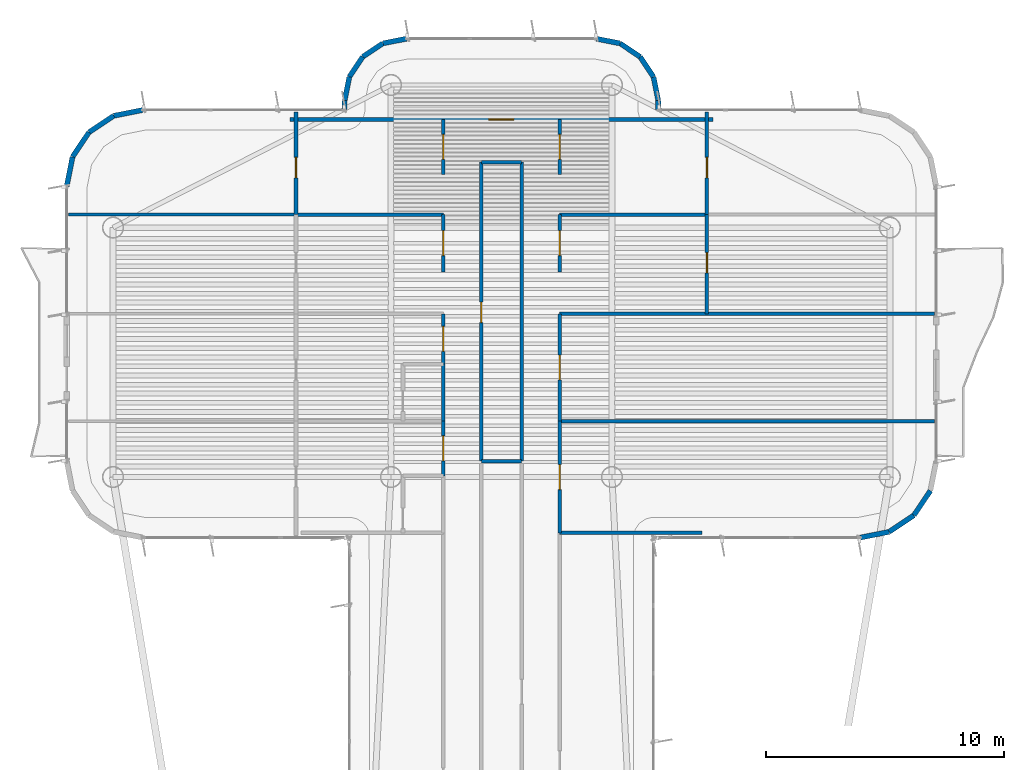
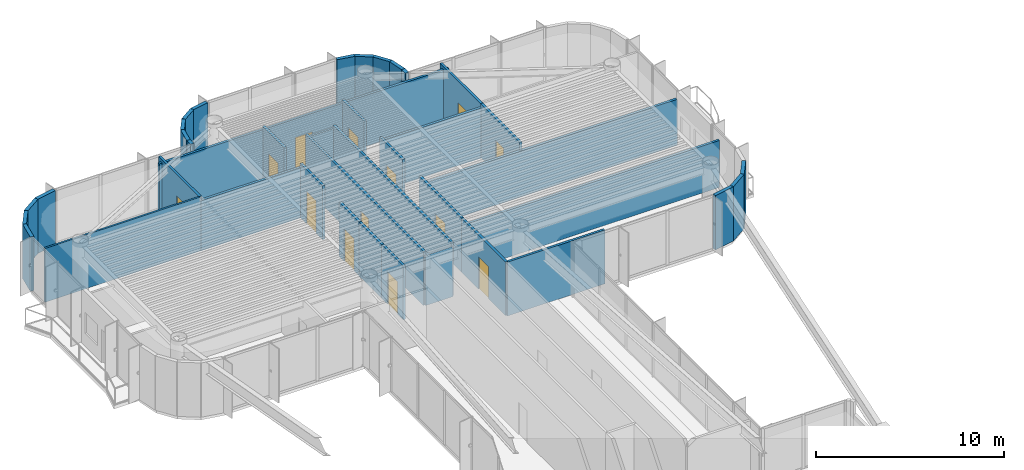
# One storey, part 12 of 15: 40 walls, 13 doors, 13 openings.
"""IFC4 building model written with IfcOpenShell, lengths in metres."""

import ifcopenshell
import ifcopenshell.guid

model = None  # the IFC model being written
_history = None  # IfcOwnerHistory: only IFC2X3 demands one
_inside = {}  # id of a spatial element -> (the spatial element, [elements in it])
_under = {}  # id of a project, library or spatial element -> (it, [spatial elements below it])
_declared = {}  # id of a project -> (the project, [libraries it declares])
_typed = {}  # id of a type object -> (the type object, [elements of that type])
_made_of = {}  # id of a material, layer set ... -> (it, [elements and type objects made of it])


def new_model(schema):
    """Start an empty IFC model of exactly this schema.

    Asked for "IFC4X3", IfcOpenShell would pick the latest addendum, in which some entities
    have other attributes; the version numbers below select the first issue.
    IFC2X3 requires an IfcOwnerHistory on every rooted entity: one is made here for all.
    """
    global model, _history
    if schema == "IFC4X3":
        model = ifcopenshell.file(schema_version=(4, 3, 0, 0))
    else:
        model = ifcopenshell.file(schema=schema)
    _inside.clear()
    _under.clear()
    _declared.clear()
    _typed.clear()
    _made_of.clear()
    _history = None
    if model.schema == "IFC2X3":
        org = make("IfcOrganization", Name="unknown")
        user = make(
            "IfcPersonAndOrganization",
            ThePerson=make("IfcPerson", FamilyName="unknown"),
            TheOrganization=org,
        )
        app = make(
            "IfcApplication",
            ApplicationDeveloper=org,
            Version="unknown",
            ApplicationFullName="unknown",
            ApplicationIdentifier="unknown",
        )
        _history = make(
            "IfcOwnerHistory",
            OwningUser=user,
            OwningApplication=app,
            ChangeAction="ADDED",
            CreationDate=0,
        )
    return model


def make(cls, **values):
    """One entity of the class cls with the attributes given. An attribute that is None is left unset."""
    return model.create_entity(
        cls, **{name: value for name, value in values.items() if value is not None}
    )


def rooted(cls, **values):
    """An entity with a GlobalId (a new one), such as an element, a storey or a relation."""
    return make(cls, GlobalId=ifcopenshell.guid.new(), OwnerHistory=_history, **values)


def si_unit(unit_type, name, prefix=None):
    """IfcSIUnit, for example si_unit("LENGTHUNIT", "METRE", prefix="MILLI")."""
    return make("IfcSIUnit", UnitType=unit_type, Prefix=prefix, Name=name)


def assignment(units):
    """IfcUnitAssignment: the units of a project."""
    return None if units is None else make("IfcUnitAssignment", Units=units)


def point(xyz):
    """IfcCartesianPoint."""
    return None if xyz is None else make("IfcCartesianPoint", Coordinates=xyz)


def direction(xyz):
    """IfcDirection."""
    return None if xyz is None else make("IfcDirection", DirectionRatios=xyz)


def frame(location, z_axis=None, x_axis=None):
    """IfcAxis2Placement3D, a coordinate frame: its origin and axes. An axis left out is left unset."""
    return make(
        "IfcAxis2Placement3D",
        Location=point(location),
        Axis=direction(z_axis),
        RefDirection=direction(x_axis),
    )


def frame_2d(location, x_axis=None):
    """IfcAxis2Placement2D, a coordinate frame in the plane: its origin and x axis."""
    return make(
        "IfcAxis2Placement2D", Location=point(location), RefDirection=direction(x_axis)
    )


def origin():
    """The frame at (0, 0, 0) with its axes left unset."""
    return frame((0.0, 0.0, 0.0))


def origin_2d():
    """The frame at (0, 0) in the plane with its x axis left unset."""
    return frame_2d((0.0, 0.0))


def place(relative_to, where):
    """IfcLocalPlacement: puts the frame where relative to a parent placement (None: the world)."""
    return make(
        "IfcLocalPlacement", PlacementRelTo=relative_to, RelativePlacement=where
    )


def context(
    kind, dimensions, precision=None, world=None, true_north=None, identifier=None
):
    """IfcGeometricRepresentationContext, for example the 3D "Model" context."""
    return make(
        "IfcGeometricRepresentationContext",
        ContextIdentifier=identifier,
        ContextType=kind,
        CoordinateSpaceDimension=dimensions,
        Precision=precision,
        WorldCoordinateSystem=world,
        TrueNorth=true_north,
    )


def subcontext(parent, identifier, kind, view, scale=None):
    """IfcGeometricRepresentationSubContext, for example "Body" below "Model"."""
    return make(
        "IfcGeometricRepresentationSubContext",
        ContextIdentifier=identifier,
        ContextType=kind,
        ParentContext=parent,
        TargetScale=scale,
        TargetView=view,
    )


def project(units=None, contexts=None):
    """IfcProject with its units and contexts."""
    return rooted(
        "IfcProject",
        Name="project",
        RepresentationContexts=contexts,
        UnitsInContext=assignment(units),
    )


def spatial(cls, under=None, at=None, **own):
    """A site, building, storey or space (cls), placed at a placement, below another one or the project."""
    s = rooted(cls, ObjectPlacement=at, **own)
    if under is not None:
        _under.setdefault(under.id(), (under, []))[1].append(s)
    return s


def profile(cls, at=None, kind="AREA", **sizes):
    """A parametric profile (cls). Its sizes go by their IFC names, for example OverallWidth=200.0."""
    return make(cls, ProfileType=kind, Position=at, **sizes)


def rectangle(**sizes):
    """IfcRectangleProfileDef."""
    return profile("IfcRectangleProfileDef", **sizes)


def extrude(swept, where, along, depth):
    """IfcExtrudedAreaSolid: the profile swept, set in the frame where, extruded along a direction by depth."""
    return make(
        "IfcExtrudedAreaSolid",
        SweptArea=swept,
        Position=where,
        ExtrudedDirection=direction(along),
        Depth=depth,
    )


def shape(context_of_items, identifier, shape_type, items):
    """IfcShapeRepresentation: the items that make up one representation, for example the "Body"."""
    return make(
        "IfcShapeRepresentation",
        ContextOfItems=context_of_items,
        RepresentationIdentifier=identifier,
        RepresentationType=shape_type,
        Items=items,
    )


def source(mapping_origin, context_of_items, identifier, shape_type, items):
    """IfcRepresentationMap: a shape defined once, which mapped items show again and again."""
    return make(
        "IfcRepresentationMap",
        MappingOrigin=mapping_origin,
        MappedRepresentation=shape(context_of_items, identifier, shape_type, items),
    )


def transform(
    local_origin,
    x_axis=None,
    y_axis=None,
    z_axis=None,
    scale=None,
    scale2=None,
    scale3=None,
    uniform=True,
):
    """IfcCartesianTransformationOperator3D, or its non-uniform kind. x_axis, y_axis, z_axis: its Axis1, 2, 3."""
    if uniform:
        return make(
            "IfcCartesianTransformationOperator3D",
            Axis1=direction(x_axis),
            Axis2=direction(y_axis),
            LocalOrigin=point(local_origin),
            Scale=scale,
            Axis3=direction(z_axis),
        )
    return make(
        "IfcCartesianTransformationOperator3DnonUniform",
        Axis1=direction(x_axis),
        Axis2=direction(y_axis),
        LocalOrigin=point(local_origin),
        Scale=scale,
        Axis3=direction(z_axis),
        Scale2=scale2,
        Scale3=scale3,
    )


def mapped(mapping_source, mapping_target):
    """IfcMappedItem: shows the shape of a source again, moved by a transform."""
    return make(
        "IfcMappedItem", MappingSource=mapping_source, MappingTarget=mapping_target
    )


def material(Name=None, Category=None):
    """IfcMaterial."""
    return make("IfcMaterial", Name=Name, Category=Category)


def layer(
    of_material, thickness, ventilated=None, Name=None, Category=None, Priority=None
):
    """IfcMaterialLayer: one layer of a wall or slab, of a material (None: an air gap)."""
    return make(
        "IfcMaterialLayer",
        Material=of_material,
        LayerThickness=thickness,
        IsVentilated=ventilated,
        Name=Name,
        Category=Category,
        Priority=Priority,
    )


def layer_set(layers, Name=None):
    """IfcMaterialLayerSet."""
    return make("IfcMaterialLayerSet", MaterialLayers=layers, LayerSetName=Name)


def made_of(thing, what):
    """Note that an element or type object is made of a material, layer set ...; save() writes the relation."""
    if what is not None:
        _made_of.setdefault(what.id(), (what, []))[1].append(thing)
    return thing


def type_object(cls, material=None, **own):
    """A type object (cls), such as IfcWallType, which elements share."""
    return made_of(rooted(cls, **own), material)


def element(
    cls,
    number,
    at=None,
    inside=None,
    cuts=None,
    type_object=None,
    material=None,
    context=None,
    identifier="Body",
    shape_type=None,
    held_by="IfcProductDefinitionShape",
    body=None,
    shapes=None,
    **own,
):
    """One element of the class cls, such as IfcWall. Its Tag is "e" and its number.

    at: its placement. inside: the storey or other place that contains it. cuts: it is an
    opening in that element (IfcRelVoidsElement). A single representation is given by context,
    identifier, shape_type and body (its items); several are given by shapes. held_by: the class
    of the entity that holds the representations. save() writes the other relations.
    """
    e = rooted(cls, Tag="e%d" % number, ObjectPlacement=at, **own)
    if body is not None:
        shapes = [shape(context, identifier, shape_type, body)]
    if shapes is not None:
        e.Representation = make(held_by, Representations=shapes)
    if inside is not None:
        _inside.setdefault(inside.id(), (inside, []))[1].append(e)
    if cuts is not None:
        rooted(
            "IfcRelVoidsElement", RelatingBuildingElement=cuts, RelatedOpeningElement=e
        )
    if type_object is not None:
        _typed.setdefault(type_object.id(), (type_object, []))[1].append(e)
    return made_of(e, material)


def fill(opening, filler):
    """IfcRelFillsElement: the door or window that sits in an opening."""
    return rooted(
        "IfcRelFillsElement",
        RelatingOpeningElement=opening,
        RelatedBuildingElement=filler,
    )


def aggregate(whole, parts):
    """IfcRelAggregates: a whole, such as a stair, and the parts it consists of."""
    return rooted("IfcRelAggregates", RelatingObject=whole, RelatedObjects=parts)


def save(model, path):
    """Write the relations noted so far, then the file.

    IfcRelAggregates (storeys below a building ...), IfcRelContainedInSpatialStructure (elements
    in a storey), IfcRelDefinesByType, IfcRelAssociatesMaterial and IfcRelDeclares: one each for
    every whole, place, type object, material and project.
    """
    for whole, parts in _under.values():
        aggregate(whole, parts)
    for where, things in _inside.values():
        rooted(
            "IfcRelContainedInSpatialStructure",
            RelatedElements=things,
            RelatingStructure=where,
        )
    for kind, things in _typed.values():
        rooted("IfcRelDefinesByType", RelatedObjects=things, RelatingType=kind)
    for what, things in _made_of.values():
        rooted("IfcRelAssociatesMaterial", RelatedObjects=things, RelatingMaterial=what)
    for by, libraries in _declared.values():
        rooted("IfcRelDeclares", RelatingContext=by, RelatedDefinitions=libraries)
    model.write(path)


model = new_model("IFC4")

# Units and contexts
model_context = context("Model", 3, precision=1e-05, world=origin(), true_north=direction((0.0, 1.0)))
body_context = subcontext(model_context, "Body", "Model", "MODEL_VIEW")
ifc_project = project(units=[si_unit("LENGTHUNIT", "METRE"), si_unit("AREAUNIT", "SQUARE_METRE"), si_unit("VOLUMEUNIT", "CUBIC_METRE"), si_unit("PLANEANGLEUNIT", "RADIAN"), si_unit("MASSUNIT", "GRAM", prefix="KILO")], contexts=[model_context])

# Site, building, storey
site_placement = place(None, origin())
site = spatial("IfcSite", under=ifc_project, at=site_placement, CompositionType="ELEMENT")
building_placement = place(site_placement, origin())
building = spatial("IfcBuilding", under=site, at=building_placement, Name="Brelvock Crest Care Tower", CompositionType="ELEMENT")
storey_placement = place(building_placement, frame((0.0, 0.0, 260.820068359375)))
storey = spatial("IfcBuildingStorey", under=building, at=storey_placement, Name="L66", CompositionType="ELEMENT", Elevation=260.820068359375)

# Walls
ifc_material_1 = material(Name="Precast concrete N40 (40 MPa)", Category="concrete")
ifc_layer_1 = layer(ifc_material_1, 0.215087890625, Name="WL-EX2")
ifc_layer_set_1 = layer_set([ifc_layer_1], Name="Precast concrete N40 (40 MPa)")
wall_type_1 = type_object("IfcWallType", Name="WL-EX2", PredefinedType="SOLIDWALL", material=ifc_layer_set_1)
for number, where, z_axis, x_axis, name in (
    (1, (17.699951171875, 56.199951171875, 0.0), (0.0, 0.0, 1.0), (0.195138390419, 0.980775717779, 0.0), "L66 Rounded Corner Wall 18"),
    (2, (17.943603515625, 57.424560546875, 0.0), (0.0, 0.0, 1.0), (0.555557312883, 0.831478245117, 0.0), "L66 Rounded Corner Wall 19"),
    (3, (18.63720703125, 58.462646484375, 0.0), (0.0, 0.0, 1.0), (0.831387912822, 0.555692485475, 0.0), "L66 Rounded Corner Wall 20"),
    (4, (19.67529296875, 59.156494140625, 0.0), (0.0, 0.0, 1.0), (0.980813122964, 0.194950295773, 0.0), "L66 Rounded Corner Wall 21"),
):
    element("IfcWall", number, at=place(storey_placement, frame(where, z_axis=z_axis, x_axis=x_axis)), inside=storey, type_object=wall_type_1, Name=name, PredefinedType="SOLIDWALL", context=body_context, shape_type="SweptSolid", body=[
        extrude(rectangle(XDim=1.24853515625, YDim=0.215087890625, at=frame_2d((0.624267578125, 0.0))), origin(), (0.0, 0.0, 1.0), 3.530029296875),
    ])
wall_1_placement = place(storey_placement, frame((29.39990234375, 59.39990234375, 0.0), z_axis=(0.0, 0.0, 1.0), x_axis=(0.0, 1.0, 0.0)))
element("IfcWall", 5, at=wall_1_placement, inside=storey, type_object=wall_type_1, Name="L66 Rounded Corner Wall 23", PredefinedType="SOLIDWALL", context=body_context, shape_type="SweptSolid", body=[
    extrude(rectangle(XDim=0.400146484375, YDim=0.215087890625, at=frame_2d((0.2001953125, 0.0))), origin(), (0.0, 0.0, 1.0), 3.530029296875),
])
wall_2_placement = place(storey_placement, frame((29.39990234375, 59.800048828125, 0.0), z_axis=(0.0, 0.0, 1.0), x_axis=(0.195190360752, 0.980765376158, 0.0)))
element("IfcWall", 6, at=wall_2_placement, inside=storey, type_object=wall_type_1, Name="L66 Rounded Corner Wall 24", PredefinedType="SOLIDWALL", context=body_context, shape_type="SweptSolid", body=[
    extrude(rectangle(XDim=1.014404296875, YDim=0.215087890625, at=frame_2d((0.50732421875, 0.0))), origin(), (0.0, 0.0, 1.0), 3.530029296875),
])
wall_3_placement = place(storey_placement, frame((29.597900390625, 60.794921875, 0.0), z_axis=(0.0, 0.0, 1.0), x_axis=(0.555643898837, 0.831420385657, 0.0)))
element("IfcWall", 7, at=wall_3_placement, inside=storey, type_object=wall_type_1, Name="L66 Rounded Corner Wall 25", PredefinedType="SOLIDWALL", context=body_context, shape_type="SweptSolid", body=[
    extrude(rectangle(XDim=1.0146484375, YDim=0.215087890625, at=frame_2d((0.50732421875, 0.0))), origin(), (0.0, 0.0, 1.0), 3.530029296875),
])
wall_4_placement = place(storey_placement, frame((30.16162109375, 61.638427734375, 0.0), z_axis=(0.0, 0.0, 1.0), x_axis=(0.831346067305, 0.555755086685, 0.0)))
element("IfcWall", 8, at=wall_4_placement, inside=storey, type_object=wall_type_1, Name="L66 Rounded Corner Wall 26", PredefinedType="SOLIDWALL", context=body_context, shape_type="SweptSolid", body=[
    extrude(rectangle(XDim=1.014404296875, YDim=0.215087890625, at=frame_2d((0.50732421875, 0.0))), origin(), (0.0, 0.0, 1.0), 3.530029296875),
])
for number, where, z_axis, x_axis, name in (
    (9, (31.0048828125, 62.2021484375, 0.0), (0.0, 0.0, 1.0), (0.980820570666, 0.194912821943, 0.0), "L66 Rounded Corner Wall 27"),
    (10, (40.0, 62.39990234375, 0.0), (0.0, 0.0, 1.0), (0.980820570666, -0.194912821943, 0.0), "L66 Rounded Corner Wall 29"),
):
    element("IfcWall", number, at=place(storey_placement, frame(where, z_axis=z_axis, x_axis=x_axis)), inside=storey, type_object=wall_type_1, Name=name, PredefinedType="SOLIDWALL", context=body_context, shape_type="SweptSolid", body=[
        extrude(rectangle(XDim=1.0146484375, YDim=0.215087890625, at=frame_2d((0.50732421875, 0.0))), origin(), (0.0, 0.0, 1.0), 3.530029296875),
    ])
wall_5_placement = place(storey_placement, frame((40.9951171875, 62.2021484375, 0.0), z_axis=(0.0, 0.0, 1.0), x_axis=(0.831346067305, -0.555755086685, 0.0)))
element("IfcWall", 11, at=wall_5_placement, inside=storey, type_object=wall_type_1, Name="L66 Rounded Corner Wall 30", PredefinedType="SOLIDWALL", context=body_context, shape_type="SweptSolid", body=[
    extrude(rectangle(XDim=1.014404296875, YDim=0.215087890625, at=frame_2d((0.50732421875, 0.0))), origin(), (0.0, 0.0, 1.0), 3.530029296875),
])
wall_6_placement = place(storey_placement, frame((41.83837890625, 61.638427734375, 0.0), z_axis=(0.0, 0.0, 1.0), x_axis=(0.555643898837, -0.831420385657, 0.0)))
element("IfcWall", 12, at=wall_6_placement, inside=storey, type_object=wall_type_1, Name="L66 Rounded Corner Wall 31", PredefinedType="SOLIDWALL", context=body_context, shape_type="SweptSolid", body=[
    extrude(rectangle(XDim=1.0146484375, YDim=0.215087890625, at=frame_2d((0.50732421875, 0.0))), origin(), (0.0, 0.0, 1.0), 3.530029296875),
])
wall_7_placement = place(storey_placement, frame((42.402099609375, 60.794921875, 0.0), z_axis=(0.0, 0.0, 1.0), x_axis=(0.195190360752, -0.980765376158, 0.0)))
element("IfcWall", 13, at=wall_7_placement, inside=storey, type_object=wall_type_1, Name="L66 Rounded Corner Wall 32", PredefinedType="SOLIDWALL", context=body_context, shape_type="SweptSolid", body=[
    extrude(rectangle(XDim=1.014404296875, YDim=0.215087890625, at=frame_2d((0.50732421875, 0.0))), origin(), (0.0, 0.0, 1.0), 3.530029296875),
])
wall_8_placement = place(storey_placement, frame((42.60009765625, 59.800048828125, 0.0), z_axis=(0.0, 0.0, 1.0), x_axis=(0.0, -1.0, 0.0)))
element("IfcWall", 14, at=wall_8_placement, inside=storey, type_object=wall_type_1, Name="L66 Rounded Corner Wall 33", PredefinedType="SOLIDWALL", context=body_context, shape_type="SweptSolid", body=[
    extrude(rectangle(XDim=0.400146484375, YDim=0.215087890625, at=frame_2d((0.2001953125, 0.0))), origin(), (0.0, 0.0, 1.0), 3.530029296875),
])
for number, where, z_axis, x_axis, name in (
    (15, (54.056396484375, 43.37548828125, 0.0), (0.0, 0.0, 1.0), (-0.555557312883, -0.831478245117, 0.0), "L66 Rounded Corner Wall 41"),
    (16, (53.36279296875, 42.33740234375, 0.0), (0.0, 0.0, 1.0), (-0.831387912822, -0.555692485475, 0.0), "L66 Rounded Corner Wall 42"),
    (17, (52.32470703125, 41.6435546875, 0.0), (0.0, 0.0, 1.0), (-0.980775717779, -0.195138390419, 0.0), "L66 Rounded Corner Wall 43"),
):
    element("IfcWall", number, at=place(storey_placement, frame(where, z_axis=z_axis, x_axis=x_axis)), inside=storey, type_object=wall_type_1, Name=name, PredefinedType="SOLIDWALL", context=body_context, shape_type="SweptSolid", body=[
        extrude(rectangle(XDim=1.24853515625, YDim=0.215087890625, at=frame_2d((0.624267578125, 0.0))), origin(), (0.0, 0.0, 1.0), 3.530029296875),
    ])
ifc_material_2 = material(Name="Masonry Blockwork Acoustic Partition", Category="masonry")
ifc_layer_2 = layer(ifc_material_2, 0.14990234375, Name="WL-INT1")
ifc_layer_set_2 = layer_set([ifc_layer_2], Name="Masonry Blockwork Acoustic Partition")
wall_type_2 = type_object("IfcWallType", Name="WL-INT1", PredefinedType="PARTITIONING", material=ifc_layer_set_2)
wall_9_placement = place(storey_placement, frame((38.449951171875, 41.60009765625, 0.0), z_axis=(0.0, 0.0, 1.0), x_axis=(1.0, 0.0, 0.0)))
element("IfcWall", 18, at=wall_9_placement, inside=storey, type_object=wall_type_2, Name="L66 Interior Wall WL-BX-L66-ESW1-S", PredefinedType="PARTITIONING", context=body_context, shape_type="SweptSolid", body=[
    extrude(rectangle(XDim=5.993408203125, YDim=0.14990234375, at=frame_2d((2.99658203125, 0.0))), origin(), (0.0, 0.0, 1.0), 3.5),
])
wall_10_placement = place(storey_placement, frame((35.14990234375, 44.6201171875, 0.0), z_axis=(0.0, 0.0, 1.0), x_axis=(1.0, 0.0, 0.0)))
element("IfcWall", 19, at=wall_10_placement, inside=storey, type_object=wall_type_2, Name="L66 Interior Wall WL-BX-L66-ISKT-S", PredefinedType="PARTITIONING", context=body_context, shape_type="SweptSolid", body=[
    extrude(rectangle(XDim=1.7001953125, YDim=0.14990234375, at=frame_2d((0.85009765625, 0.0))), origin(), (0.0, 0.0, 1.0), 3.259033203125),
])
wall_11_placement = place(storey_placement, frame((38.449951171875, 46.298095703125, 0.0), z_axis=(0.0, 0.0, 1.0), x_axis=(1.0, 0.0, 0.0)))
element("IfcWall", 20, at=wall_11_placement, inside=storey, type_object=wall_type_2, Name="L66 Interior Wall WL-BX-L66-ESW1-N", PredefinedType="PARTITIONING", context=body_context, shape_type="SweptSolid", body=[
    extrude(rectangle(XDim=15.77001953125, YDim=0.14990234375, at=frame_2d((7.885009765625, 0.0))), origin(), (0.0, 0.0, 1.0), 3.054931640625),
])
wall_12_placement = place(storey_placement, frame((38.449951171875, 50.822021484375, 0.0), z_axis=(0.0, 0.0, 1.0), x_axis=(1.0, 0.0, 0.0)))
element("IfcWall", 21, at=wall_12_placement, inside=storey, type_object=wall_type_2, Name="L66 Interior Wall WL-BX-L66-ESW2-N", PredefinedType="PARTITIONING", context=body_context, shape_type="SweptSolid", body=[
    extrude(rectangle(XDim=15.77001953125, YDim=0.14990234375, at=frame_2d((7.885009765625, 0.0))), origin(), (0.0, 0.0, 1.0), 2.98193359375),
])
for number, where, z_axis, x_axis, name in (
    (22, (27.35009765625, 54.998046875, 0.0), (0.0, 0.0, 1.0), (1.0, 0.0, 0.0), "L66 Interior Wall WL-BX-L66-CS-WS3-N"),
    (23, (38.449951171875, 54.998046875, 0.0), (0.0, 0.0, 1.0), (1.0, 0.0, 0.0), "L66 Interior Wall WL-BX-L66-CS-ES3-N"),
):
    element("IfcWall", number, at=place(storey_placement, frame(where, z_axis=z_axis, x_axis=x_axis)), inside=storey, type_object=wall_type_2, Name=name, PredefinedType="PARTITIONING", context=body_context, shape_type="SweptSolid", body=[
        extrude(rectangle(XDim=6.199951171875, YDim=0.14990234375, at=frame_2d((3.10009765625, 0.0))), origin(), (0.0, 0.0, 1.0), 3.259033203125),
    ])
wall_13_placement = place(storey_placement, frame((35.14990234375, 57.199951171875, 0.0), z_axis=(0.0, 0.0, 1.0), x_axis=(1.0, 0.0, 0.0)))
element("IfcWall", 24, at=wall_13_placement, inside=storey, type_object=wall_type_2, Name="L66 Interior Wall WL-BX-L66-ISKT-N", PredefinedType="PARTITIONING", context=body_context, shape_type="SweptSolid", body=[
    extrude(rectangle(XDim=1.7001953125, YDim=0.14990234375, at=frame_2d((0.85009765625, 0.0))), origin(), (0.0, 0.0, 1.0), 3.307861328125),
])

# Wall, opening, door
wall_14_placement = place(storey_placement, frame((27.10009765625, 59.0, 0.0), z_axis=(0.0, 0.0, 1.0), x_axis=(1.0, 0.0, 0.0)))
wall_14 = element("IfcWall", 25, at=wall_14_placement, inside=storey, type_object=wall_type_2, Name="L66 Interior Wall WL-RM-L66-NHUB", PredefinedType="PARTITIONING", context=body_context, shape_type="SweptSolid", body=[
    extrude(rectangle(XDim=17.7998046875, YDim=0.14990234375, at=frame_2d((8.89990234375, 0.0))), origin(), (0.0, 0.0, 1.0), 3.307861328125),
])
opening_1_placement = place(wall_14_placement, frame((8.375, 0.0, 0.0)))
opening_1 = element("IfcOpeningElement", 26, at=opening_1_placement, cuts=wall_14, Name="Opening CLD-1", PredefinedType="OPENING", context=body_context, shape_type="SweptSolid", body=[
    extrude(rectangle(XDim=1.050048828125, YDim=2.10009765625, at=origin_2d()), frame((0.52490234375, 0.0849609375, 1.050048828125), z_axis=(0.0, -1.0, 0.0), x_axis=(1.0, 0.0, 0.0)), (0.0, 0.0, 1.0), 0.169921875),
])
ifc_material_3 = material(Name="Engineered Hardwood Timber", Category="wood")
door_type_1 = type_object("IfcDoorType", Name="DR-CLN1", OperationType="NOTDEFINED", PredefinedType="DOOR", material=ifc_material_3)
shared_shape_1 = source(origin(), body_context, "Body", "SweptSolid", [
    extrude(rectangle(XDim=1.050048828125, YDim=2.10009765625, at=origin_2d()), frame((0.52490234375, 0.02490234375, 1.050048828125), z_axis=(0.0, -1.0, 0.0), x_axis=(1.0, 0.0, 0.0)), (0.0, 0.0, 1.0), 0.050048828125),
])
door_1_placement = place(opening_1_placement, origin())
door_1 = element("IfcDoor", 27, at=door_1_placement, inside=storey, type_object=door_type_1, Name="L66 North Crest Conservatory Lounge Door NHUB", OperationType="SINGLE_SWING_LEFT", OverallHeight=2.10009765625, OverallWidth=1.050048828125, PredefinedType="DOOR", context=body_context, shape_type="MappedRepresentation", body=[
    mapped(shared_shape_1, transform((0.0, 0.0, 0.0), x_axis=(1.0, 0.0, 0.0), y_axis=(0.0, 1.0, 0.0), z_axis=(0.0, 0.0, 1.0), scale=1.0)),
])
fill(opening_1, door_1)

wall_15_placement = place(storey_placement, frame((27.35009765625, 54.998046875, 0.0), z_axis=(0.0, 0.0, 1.0), x_axis=(0.0, 1.0, 0.0)))
wall_15 = element("IfcWall", 28, at=wall_15_placement, inside=storey, type_object=wall_type_2, Name="L66 Interior Wall WL-RM-L66-WS4S", PredefinedType="PARTITIONING", context=body_context, shape_type="SweptSolid", body=[
    extrude(rectangle(XDim=4.324462890625, YDim=0.14990234375, at=frame_2d((2.162109375, 0.0))), origin(), (0.0, 0.0, 1.0), 3.5),
])
opening_2_placement = place(wall_15_placement, frame((1.5419921875, 0.0, 0.0)))
opening_2 = element("IfcOpeningElement", 29, at=opening_2_placement, cuts=wall_15, Name="Opening ID-1", PredefinedType="OPENING", context=body_context, shape_type="SweptSolid", body=[
    extrude(rectangle(XDim=0.860107421875, YDim=2.10009765625, at=origin_2d()), frame((0.43017578125, 0.0849609375, 1.050048828125), z_axis=(0.0, -1.0, 0.0), x_axis=(1.0, 0.0, 0.0)), (0.0, 0.0, 1.0), 0.169921875),
])
door_type_2 = type_object("IfcDoorType", Name="DR-INT1", OperationType="NOTDEFINED", PredefinedType="DOOR", material=ifc_material_3)
shared_shape_2 = source(origin(), body_context, "Body", "SweptSolid", [
    extrude(rectangle(XDim=0.860107421875, YDim=2.10009765625, at=origin_2d()), frame((0.43017578125, 0.02490234375, 1.050048828125), z_axis=(0.0, -1.0, 0.0), x_axis=(1.0, 0.0, 0.0)), (0.0, 0.0, 1.0), 0.050048828125),
])
door_2_placement = place(opening_2_placement, origin())
door_2 = element("IfcDoor", 30, at=door_2_placement, inside=storey, type_object=door_type_2, Name="L66 Skilled Nursing Mobility Store Door WS4S", OperationType="SINGLE_SWING_LEFT", OverallHeight=2.10009765625, OverallWidth=0.860107421875, PredefinedType="DOOR", context=body_context, shape_type="MappedRepresentation", body=[
    mapped(shared_shape_2, transform((0.0, 0.0, 0.0), x_axis=(1.0, 0.0, 0.0), y_axis=(0.0, 1.0, 0.0), z_axis=(0.0, 0.0, 1.0), scale=1.0)),
])
fill(opening_2, door_2)

wall_16_placement = place(storey_placement, frame((33.550048828125, 44.0, 0.0), z_axis=(0.0, 0.0, 1.0), x_axis=(0.0, 1.0, 0.0)))
wall_16 = element("IfcWall", 31, at=wall_16_placement, inside=storey, type_object=wall_type_2, Name="L66 Interior Wall WL-CENT-L66-WS1", PredefinedType="PARTITIONING", context=body_context, shape_type="SweptSolid", body=[
    extrude(rectangle(XDim=2.298095703125, YDim=0.14990234375, at=frame_2d((1.14892578125, 0.0))), origin(), (0.0, 0.0, 1.0), 3.5),
])
opening_3_placement = place(wall_16_placement, frame((0.62890625, 0.0, 0.0)))
opening_3 = element("IfcOpeningElement", 32, at=opening_3_placement, cuts=wall_16, Name="Opening CD-1", PredefinedType="OPENING", context=body_context, shape_type="SweptSolid", body=[
    extrude(rectangle(XDim=1.050048828125, YDim=2.10009765625, at=origin_2d()), frame((0.52490234375, 0.0849609375, 1.050048828125), z_axis=(0.0, -1.0, 0.0), x_axis=(1.0, 0.0, 0.0)), (0.0, 0.0, 1.0), 0.169921875),
])
door_type_3 = type_object("IfcDoorType", Name="DR-CARE1", OperationType="NOTDEFINED", PredefinedType="DOOR", material=ifc_material_3)
shared_shape_3 = source(origin(), body_context, "Body", "SweptSolid", [
    extrude(rectangle(XDim=1.050048828125, YDim=2.10009765625, at=origin_2d()), frame((0.52490234375, 0.02490234375, 1.050048828125), z_axis=(0.0, -1.0, 0.0), x_axis=(1.0, 0.0, 0.0)), (0.0, 0.0, 1.0), 0.050048828125),
])
door_3_placement = place(opening_3_placement, origin())
door_3 = element("IfcDoor", 33, at=door_3_placement, inside=storey, type_object=door_type_3, Name="L66 Care Suite Door WS1", OperationType="SINGLE_SWING_LEFT", OverallHeight=2.10009765625, OverallWidth=1.050048828125, PredefinedType="DOOR", context=body_context, shape_type="MappedRepresentation", body=[
    mapped(shared_shape_3, transform((0.0, 0.0, 0.0), x_axis=(1.0, 0.0, 0.0), y_axis=(0.0, 1.0, 0.0), z_axis=(0.0, 0.0, 1.0), scale=1.0)),
])
fill(opening_3, door_3)

wall_17_placement = place(storey_placement, frame((33.550048828125, 48.697998046875, 0.0), z_axis=(0.0, 0.0, 1.0), x_axis=(0.0, 1.0, 0.0)))
wall_17 = element("IfcWall", 34, at=wall_17_placement, inside=storey, type_object=wall_type_2, Name="L66 Interior Wall WL-CENT-L66-WS2", PredefinedType="PARTITIONING", context=body_context, shape_type="SweptSolid", body=[
    extrude(rectangle(XDim=2.1240234375, YDim=0.14990234375, at=frame_2d((1.06201171875, 0.0))), origin(), (0.0, 0.0, 1.0), 3.5),
])
opening_4_placement = place(wall_17_placement, frame((0.5419921875, 0.0, 0.0)))
opening_4 = element("IfcOpeningElement", 35, at=opening_4_placement, cuts=wall_17, Name="Opening CD-1", PredefinedType="OPENING", context=body_context, shape_type="SweptSolid", body=[
    extrude(rectangle(XDim=1.050048828125, YDim=2.10009765625, at=origin_2d()), frame((0.52490234375, 0.0849609375, 1.050048828125), z_axis=(0.0, -1.0, 0.0), x_axis=(1.0, 0.0, 0.0)), (0.0, 0.0, 1.0), 0.169921875),
])
door_4_placement = place(opening_4_placement, origin())
door_4 = element("IfcDoor", 36, at=door_4_placement, inside=storey, type_object=door_type_3, Name="L66 Care Suite Door WS2", OperationType="SINGLE_SWING_LEFT", OverallHeight=2.10009765625, OverallWidth=1.050048828125, PredefinedType="DOOR", context=body_context, shape_type="MappedRepresentation", body=[
    mapped(shared_shape_3, transform((0.0, 0.0, 0.0), x_axis=(1.0, 0.0, 0.0), y_axis=(0.0, 1.0, 0.0), z_axis=(0.0, 0.0, 1.0), scale=1.0)),
])
fill(opening_4, door_4)

wall_18_placement = place(storey_placement, frame((33.550048828125, 52.575927734375, 0.0), z_axis=(0.0, 0.0, 1.0), x_axis=(0.0, 1.0, 0.0)))
wall_18 = element("IfcWall", 37, at=wall_18_placement, inside=storey, type_object=wall_type_2, Name="L66 Interior Wall WL-CENT-L66-WS3", PredefinedType="PARTITIONING", context=body_context, shape_type="SweptSolid", body=[
    extrude(rectangle(XDim=2.422119140625, YDim=0.14990234375, at=frame_2d((1.2109375, 0.0))), origin(), (0.0, 0.0, 1.0), 3.5),
])
opening_5_placement = place(wall_18_placement, frame((0.69091796875, 0.0, 0.0)))
opening_5 = element("IfcOpeningElement", 38, at=opening_5_placement, cuts=wall_18, Name="Opening CD-1", PredefinedType="OPENING", context=body_context, shape_type="SweptSolid", body=[
    extrude(rectangle(XDim=1.050048828125, YDim=2.10009765625, at=origin_2d()), frame((0.52490234375, 0.0849609375, 1.050048828125), z_axis=(0.0, -1.0, 0.0), x_axis=(1.0, 0.0, 0.0)), (0.0, 0.0, 1.0), 0.169921875),
])
door_5_placement = place(opening_5_placement, origin())
door_5 = element("IfcDoor", 39, at=door_5_placement, inside=storey, type_object=door_type_3, Name="L66 Care Suite Door WS3", OperationType="SINGLE_SWING_LEFT", OverallHeight=2.10009765625, OverallWidth=1.050048828125, PredefinedType="DOOR", context=body_context, shape_type="MappedRepresentation", body=[
    mapped(shared_shape_3, transform((0.0, 0.0, 0.0), x_axis=(1.0, 0.0, 0.0), y_axis=(0.0, 1.0, 0.0), z_axis=(0.0, 0.0, 1.0), scale=1.0)),
])
fill(opening_5, door_5)

wall_19_placement = place(storey_placement, frame((33.550048828125, 56.678955078125, 0.0), z_axis=(0.0, 0.0, 1.0), x_axis=(0.0, 1.0, 0.0)))
wall_19 = element("IfcWall", 40, at=wall_19_placement, inside=storey, type_object=wall_type_2, Name="L66 Interior Wall WL-CENT-L66-WS4", PredefinedType="PARTITIONING", context=body_context, shape_type="SweptSolid", body=[
    extrude(rectangle(XDim=2.321044921875, YDim=0.14990234375, at=frame_2d((1.16064453125, 0.0))), origin(), (0.0, 0.0, 1.0), 3.5),
])
opening_6_placement = place(wall_19_placement, frame((0.639892578125, 0.0, 0.0)))
opening_6 = element("IfcOpeningElement", 41, at=opening_6_placement, cuts=wall_19, Name="Opening CD-1", PredefinedType="OPENING", context=body_context, shape_type="SweptSolid", body=[
    extrude(rectangle(XDim=1.050048828125, YDim=2.10009765625, at=origin_2d()), frame((0.52490234375, 0.0849609375, 1.050048828125), z_axis=(0.0, -1.0, 0.0), x_axis=(1.0, 0.0, 0.0)), (0.0, 0.0, 1.0), 0.169921875),
])
door_6_placement = place(opening_6_placement, origin())
door_6 = element("IfcDoor", 42, at=door_6_placement, inside=storey, type_object=door_type_3, Name="L66 Care Suite Door WS4", OperationType="SINGLE_SWING_LEFT", OverallHeight=2.10009765625, OverallWidth=1.050048828125, PredefinedType="DOOR", context=body_context, shape_type="MappedRepresentation", body=[
    mapped(shared_shape_3, transform((0.0, 0.0, 0.0), x_axis=(1.0, 0.0, 0.0), y_axis=(0.0, 1.0, 0.0), z_axis=(0.0, 0.0, 1.0), scale=1.0)),
])
fill(opening_6, door_6)

wall_20_placement = place(storey_placement, frame((35.14990234375, 44.6201171875, 0.0), z_axis=(0.0, 0.0, 1.0), x_axis=(0.0, 1.0, 0.0)))
wall_20 = element("IfcWall", 43, at=wall_20_placement, inside=storey, type_object=wall_type_2, Name="L66 Interior Wall WL-RM-L66-ISKT", PredefinedType="PARTITIONING", context=body_context, shape_type="SweptSolid", body=[
    extrude(rectangle(XDim=12.579833984375, YDim=0.14990234375, at=frame_2d((6.2900390625, 0.0))), origin(), (0.0, 0.0, 1.0), 3.5),
])
opening_7_placement = place(wall_20_placement, frame((5.830078125, 0.0, 0.0)))
opening_7 = element("IfcOpeningElement", 44, at=opening_7_placement, cuts=wall_20, Name="Opening ID-1", PredefinedType="OPENING", context=body_context, shape_type="SweptSolid", body=[
    extrude(rectangle(XDim=0.860107421875, YDim=2.10009765625, at=origin_2d()), frame((0.43017578125, 0.0849609375, 1.050048828125), z_axis=(0.0, -1.0, 0.0), x_axis=(1.0, 0.0, 0.0)), (0.0, 0.0, 1.0), 0.169921875),
])
door_7_placement = place(opening_7_placement, origin())
door_7 = element("IfcDoor", 45, at=door_7_placement, inside=storey, type_object=door_type_2, Name="L66 Communal Tea and Nutrition Pantry Door ISKT", OperationType="SINGLE_SWING_LEFT", OverallHeight=2.10009765625, OverallWidth=0.860107421875, PredefinedType="DOOR", context=body_context, shape_type="MappedRepresentation", body=[
    mapped(shared_shape_2, transform((0.0, 0.0, 0.0), x_axis=(1.0, 0.0, 0.0), y_axis=(0.0, 1.0, 0.0), z_axis=(0.0, 0.0, 1.0), scale=1.0)),
])
fill(opening_7, door_7)

# Wall
wall_21_placement = place(storey_placement, frame((36.85009765625, 44.6201171875, 0.0), z_axis=(0.0, 0.0, 1.0), x_axis=(0.0, 1.0, 0.0)))
element("IfcWall", 46, at=wall_21_placement, inside=storey, type_object=wall_type_2, Name="L66 Interior Wall WL-BX-L66-ISKT-E", PredefinedType="PARTITIONING", context=body_context, shape_type="SweptSolid", body=[
    extrude(rectangle(XDim=12.579833984375, YDim=0.14990234375, at=frame_2d((6.2900390625, 0.0))), origin(), (0.0, 0.0, 1.0), 3.5),
])

# Wall, opening, door
wall_22_placement = place(storey_placement, frame((38.449951171875, 41.60009765625, 0.0), z_axis=(0.0, 0.0, 1.0), x_axis=(0.0, 1.0, 0.0)))
wall_22 = element("IfcWall", 47, at=wall_22_placement, inside=storey, type_object=wall_type_2, Name="L66 Interior Wall WL-RM-L66-ESW1", PredefinedType="PARTITIONING", context=body_context, shape_type="SweptSolid", body=[
    extrude(rectangle(XDim=4.697998046875, YDim=0.14990234375, at=frame_2d((2.34912109375, 0.0))), origin(), (0.0, 0.0, 1.0), 3.5),
])
opening_8_placement = place(wall_22_placement, frame((1.823974609375, 0.0, 0.0)))
opening_8 = element("IfcOpeningElement", 48, at=opening_8_placement, cuts=wall_22, Name="Opening CD-1", PredefinedType="OPENING", context=body_context, shape_type="SweptSolid", body=[
    extrude(rectangle(XDim=1.050048828125, YDim=2.10009765625, at=origin_2d()), frame((0.52490234375, 0.0849609375, 1.050048828125), z_axis=(0.0, -1.0, 0.0), x_axis=(1.0, 0.0, 0.0)), (0.0, 0.0, 1.0), 0.169921875),
])
door_8_placement = place(opening_8_placement, origin())
door_8 = element("IfcDoor", 49, at=door_8_placement, inside=storey, type_object=door_type_3, Name="L66 Skilled Nursing Telemetry Ward Door ESW1", OperationType="SINGLE_SWING_LEFT", OverallHeight=2.10009765625, OverallWidth=1.050048828125, PredefinedType="DOOR", context=body_context, shape_type="MappedRepresentation", body=[
    mapped(shared_shape_3, transform((0.0, 0.0, 0.0), x_axis=(1.0, 0.0, 0.0), y_axis=(0.0, 1.0, 0.0), z_axis=(0.0, 0.0, 1.0), scale=1.0)),
])
fill(opening_8, door_8)

wall_23_placement = place(storey_placement, frame((38.449951171875, 46.298095703125, 0.0), z_axis=(0.0, 0.0, 1.0), x_axis=(0.0, 1.0, 0.0)))
wall_23 = element("IfcWall", 50, at=wall_23_placement, inside=storey, type_object=wall_type_2, Name="L66 Interior Wall WL-RM-L66-ESW2", PredefinedType="PARTITIONING", context=body_context, shape_type="SweptSolid", body=[
    extrude(rectangle(XDim=4.52392578125, YDim=0.14990234375, at=frame_2d((2.261962890625, 0.0))), origin(), (0.0, 0.0, 1.0), 3.5),
])
opening_9_placement = place(wall_23_placement, frame((1.737060546875, 0.0, 0.0)))
opening_9 = element("IfcOpeningElement", 51, at=opening_9_placement, cuts=wall_23, Name="Opening CD-1", PredefinedType="OPENING", context=body_context, shape_type="SweptSolid", body=[
    extrude(rectangle(XDim=1.050048828125, YDim=2.10009765625, at=origin_2d()), frame((0.52490234375, 0.0849609375, 1.050048828125), z_axis=(0.0, -1.0, 0.0), x_axis=(1.0, 0.0, 0.0)), (0.0, 0.0, 1.0), 0.169921875),
])
door_9_placement = place(opening_9_placement, origin())
door_9 = element("IfcDoor", 52, at=door_9_placement, inside=storey, type_object=door_type_3, Name="L66 Sub-Acute Geriatric Therapy Clinic Door ESW2", OperationType="SINGLE_SWING_LEFT", OverallHeight=2.10009765625, OverallWidth=1.050048828125, PredefinedType="DOOR", context=body_context, shape_type="MappedRepresentation", body=[
    mapped(shared_shape_3, transform((0.0, 0.0, 0.0), x_axis=(1.0, 0.0, 0.0), y_axis=(0.0, 1.0, 0.0), z_axis=(0.0, 0.0, 1.0), scale=1.0)),
])
fill(opening_9, door_9)

wall_24_placement = place(storey_placement, frame((38.449951171875, 52.575927734375, 0.0), z_axis=(0.0, 0.0, 1.0), x_axis=(0.0, 1.0, 0.0)))
wall_24 = element("IfcWall", 53, at=wall_24_placement, inside=storey, type_object=wall_type_2, Name="L66 Interior Wall WL-CENT-L66-ES3", PredefinedType="PARTITIONING", context=body_context, shape_type="SweptSolid", body=[
    extrude(rectangle(XDim=2.422119140625, YDim=0.14990234375, at=frame_2d((1.2109375, 0.0))), origin(), (0.0, 0.0, 1.0), 3.5),
])
opening_10_placement = place(wall_24_placement, frame((0.69091796875, 0.0, 0.0)))
opening_10 = element("IfcOpeningElement", 54, at=opening_10_placement, cuts=wall_24, Name="Opening CD-1", PredefinedType="OPENING", context=body_context, shape_type="SweptSolid", body=[
    extrude(rectangle(XDim=1.050048828125, YDim=2.10009765625, at=origin_2d()), frame((0.52490234375, 0.0849609375, 1.050048828125), z_axis=(0.0, -1.0, 0.0), x_axis=(1.0, 0.0, 0.0)), (0.0, 0.0, 1.0), 0.169921875),
])
door_10_placement = place(opening_10_placement, origin())
door_10 = element("IfcDoor", 55, at=door_10_placement, inside=storey, type_object=door_type_3, Name="L66 Care Suite Door ES3", OperationType="SINGLE_SWING_LEFT", OverallHeight=2.10009765625, OverallWidth=1.050048828125, PredefinedType="DOOR", context=body_context, shape_type="MappedRepresentation", body=[
    mapped(shared_shape_3, transform((0.0, 0.0, 0.0), x_axis=(1.0, 0.0, 0.0), y_axis=(0.0, 1.0, 0.0), z_axis=(0.0, 0.0, 1.0), scale=1.0)),
])
fill(opening_10, door_10)

wall_25_placement = place(storey_placement, frame((38.449951171875, 56.678955078125, 0.0), z_axis=(0.0, 0.0, 1.0), x_axis=(0.0, 1.0, 0.0)))
wall_25 = element("IfcWall", 56, at=wall_25_placement, inside=storey, type_object=wall_type_2, Name="L66 Interior Wall WL-CENT-L66-ES4", PredefinedType="PARTITIONING", context=body_context, shape_type="SweptSolid", body=[
    extrude(rectangle(XDim=2.321044921875, YDim=0.14990234375, at=frame_2d((1.16064453125, 0.0))), origin(), (0.0, 0.0, 1.0), 3.5),
])
opening_11_placement = place(wall_25_placement, frame((0.639892578125, 0.0, 0.0)))
opening_11 = element("IfcOpeningElement", 57, at=opening_11_placement, cuts=wall_25, Name="Opening CD-1", PredefinedType="OPENING", context=body_context, shape_type="SweptSolid", body=[
    extrude(rectangle(XDim=1.050048828125, YDim=2.10009765625, at=origin_2d()), frame((0.52490234375, 0.0849609375, 1.050048828125), z_axis=(0.0, -1.0, 0.0), x_axis=(1.0, 0.0, 0.0)), (0.0, 0.0, 1.0), 0.169921875),
])
door_11_placement = place(opening_11_placement, origin())
door_11 = element("IfcDoor", 58, at=door_11_placement, inside=storey, type_object=door_type_3, Name="L66 Care Suite Door ES4", OperationType="SINGLE_SWING_LEFT", OverallHeight=2.10009765625, OverallWidth=1.050048828125, PredefinedType="DOOR", context=body_context, shape_type="MappedRepresentation", body=[
    mapped(shared_shape_3, transform((0.0, 0.0, 0.0), x_axis=(1.0, 0.0, 0.0), y_axis=(0.0, 1.0, 0.0), z_axis=(0.0, 0.0, 1.0), scale=1.0)),
])
fill(opening_11, door_11)

wall_26_placement = place(storey_placement, frame((44.64990234375, 50.822021484375, 0.0), z_axis=(0.0, 0.0, 1.0), x_axis=(0.0, 1.0, 0.0)))
wall_26 = element("IfcWall", 59, at=wall_26_placement, inside=storey, type_object=wall_type_2, Name="L66 Interior Wall WL-RM-L66-ES3S", PredefinedType="PARTITIONING", context=body_context, shape_type="SweptSolid", body=[
    extrude(rectangle(XDim=4.176025390625, YDim=0.14990234375, at=frame_2d((2.087890625, 0.0))), origin(), (0.0, 0.0, 1.0), 3.5),
])
opening_12_placement = place(wall_26_placement, frame((1.718017578125, 0.0, 0.0)))
opening_12 = element("IfcOpeningElement", 60, at=opening_12_placement, cuts=wall_26, Name="Opening ID-1", PredefinedType="OPENING", context=body_context, shape_type="SweptSolid", body=[
    extrude(rectangle(XDim=0.860107421875, YDim=2.10009765625, at=origin_2d()), frame((0.43017578125, 0.0849609375, 1.050048828125), z_axis=(0.0, -1.0, 0.0), x_axis=(1.0, 0.0, 0.0)), (0.0, 0.0, 1.0), 0.169921875),
])
door_12_placement = place(opening_12_placement, origin())
door_12 = element("IfcDoor", 61, at=door_12_placement, inside=storey, type_object=door_type_2, Name="L66 Skilled Nursing Mobility Store Door ES3S", OperationType="SINGLE_SWING_LEFT", OverallHeight=2.10009765625, OverallWidth=0.860107421875, PredefinedType="DOOR", context=body_context, shape_type="MappedRepresentation", body=[
    mapped(shared_shape_2, transform((0.0, 0.0, 0.0), x_axis=(1.0, 0.0, 0.0), y_axis=(0.0, 1.0, 0.0), z_axis=(0.0, 0.0, 1.0), scale=1.0)),
])
fill(opening_12, door_12)

wall_27_placement = place(storey_placement, frame((44.64990234375, 54.998046875, 0.0), z_axis=(0.0, 0.0, 1.0), x_axis=(0.0, 1.0, 0.0)))
wall_27 = element("IfcWall", 62, at=wall_27_placement, inside=storey, type_object=wall_type_2, Name="L66 Interior Wall WL-RM-L66-ES4S", PredefinedType="PARTITIONING", context=body_context, shape_type="SweptSolid", body=[
    extrude(rectangle(XDim=4.324462890625, YDim=0.14990234375, at=frame_2d((2.162109375, 0.0))), origin(), (0.0, 0.0, 1.0), 3.5),
])
opening_13_placement = place(wall_27_placement, frame((1.5419921875, 0.0, 0.0)))
opening_13 = element("IfcOpeningElement", 63, at=opening_13_placement, cuts=wall_27, Name="Opening ID-1", PredefinedType="OPENING", context=body_context, shape_type="SweptSolid", body=[
    extrude(rectangle(XDim=0.860107421875, YDim=2.10009765625, at=origin_2d()), frame((0.43017578125, 0.0849609375, 1.050048828125), z_axis=(0.0, -1.0, 0.0), x_axis=(1.0, 0.0, 0.0)), (0.0, 0.0, 1.0), 0.169921875),
])
door_13_placement = place(opening_13_placement, origin())
door_13 = element("IfcDoor", 64, at=door_13_placement, inside=storey, type_object=door_type_2, Name="L66 Skilled Nursing Mobility Store Door ES4S", OperationType="SINGLE_SWING_LEFT", OverallHeight=2.10009765625, OverallWidth=0.860107421875, PredefinedType="DOOR", context=body_context, shape_type="MappedRepresentation", body=[
    mapped(shared_shape_2, transform((0.0, 0.0, 0.0), x_axis=(1.0, 0.0, 0.0), y_axis=(0.0, 1.0, 0.0), z_axis=(0.0, 0.0, 1.0), scale=1.0)),
])
fill(opening_13, door_13)

# Walls
ifc_material_4 = material(Name="Gypsum Plasterboard Partition", Category="gypsum")
ifc_layer_3 = layer(ifc_material_4, 0.1201171875, Name="WL-INT2")
ifc_layer_set_3 = layer_set([ifc_layer_3], Name="Gypsum Plasterboard Partition")
wall_type_3 = type_object("IfcWallType", Name="WL-INT2", PredefinedType="PARTITIONING", material=ifc_layer_set_3)
wall_28_placement = place(storey_placement, frame((17.780029296875, 54.998046875, 0.0), z_axis=(0.0, 0.0, 1.0), x_axis=(1.0, 0.0, 0.0)))
element("IfcWall", 65, at=wall_28_placement, inside=storey, type_object=wall_type_3, Name="L66 Interior Wall WL-BX-L66-WS3S-N", PredefinedType="PARTITIONING", context=body_context, shape_type="SweptSolid", body=[
    extrude(rectangle(XDim=9.570068359375, YDim=0.1201171875, at=frame_2d((4.78515625, 0.0))), origin(), (0.0, 0.0, 1.0), 3.5),
])
ifc_layer_4 = layer(ifc_material_4, 0.159912109375, Name="WL-PLM1")
ifc_layer_set_4 = layer_set([ifc_layer_4], Name="Gypsum Plasterboard Partition")
wall_type_4 = type_object("IfcWallType", Name="WL-PLM1", PredefinedType="PLUMBINGWALL", material=ifc_layer_set_4)
wall_29_placement = place(storey_placement, frame((33.550048828125, 46.298095703125, 0.0), z_axis=(0.0, 0.0, 1.0), x_axis=(0.0, 1.0, 0.0)))
element("IfcWall", 66, at=wall_29_placement, inside=storey, type_object=wall_type_4, Name="L66 Interior Wall WL-CENS0-L66-WS2", PredefinedType="PLUMBINGWALL", context=body_context, shape_type="SweptSolid", body=[
    extrude(rectangle(XDim=2.39990234375, YDim=0.159912109375, at=frame_2d((1.199951171875, 0.0))), origin(), (0.0, 0.0, 1.0), 3.5),
])

save(model, "model.ifc")
